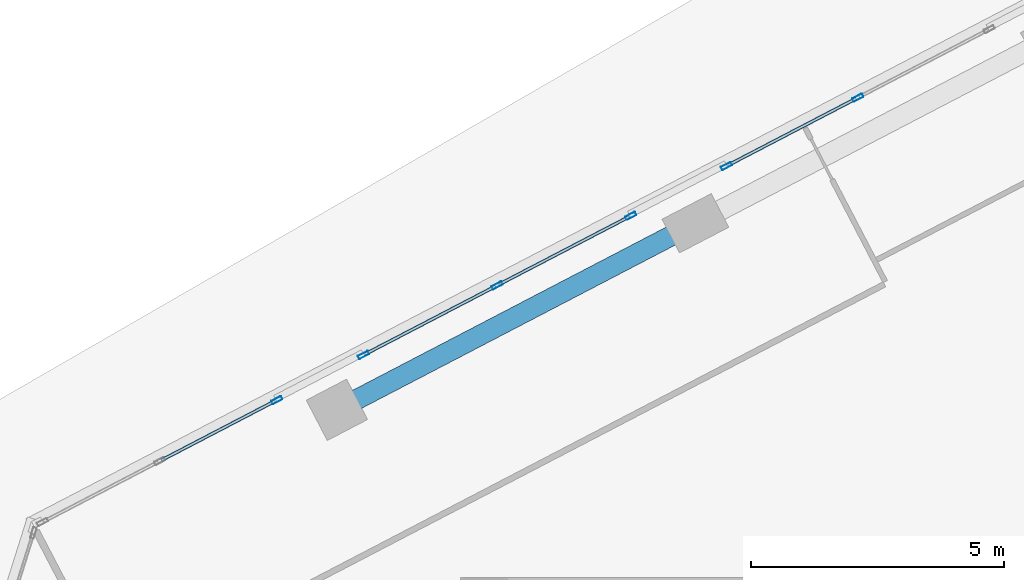
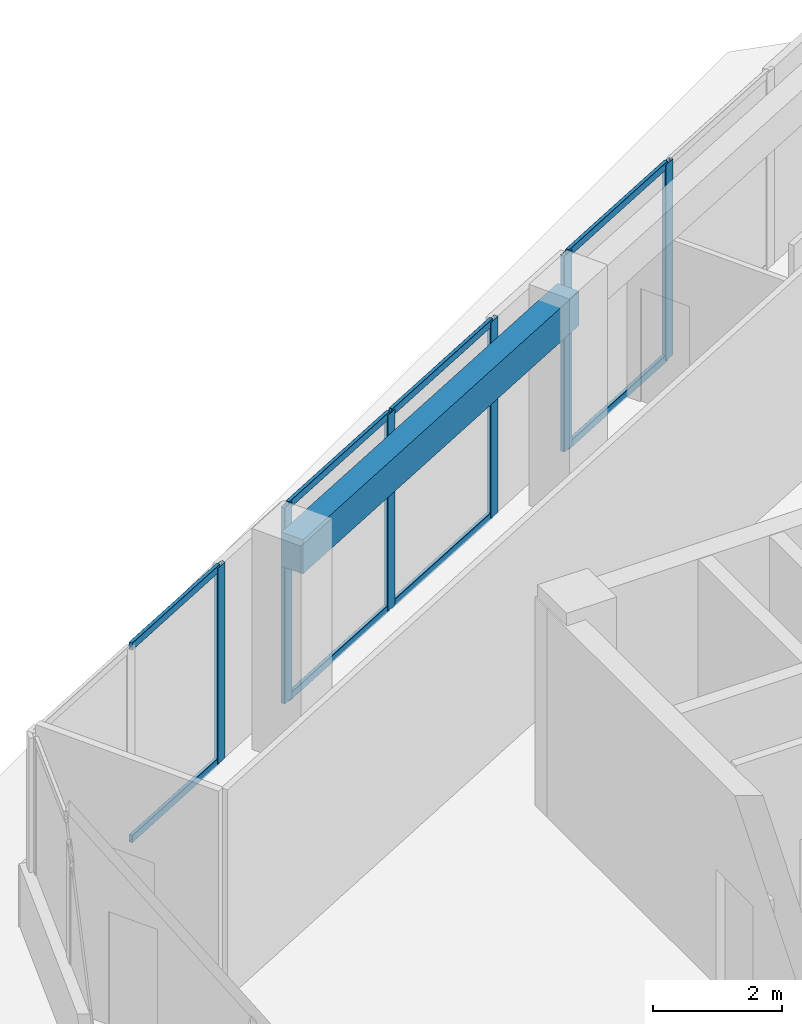
# One storey, part 8 of 16: 14 members, 1 beam, 3 elements without a shape of their own.
"""IFC4 building model written with IfcOpenShell, lengths in metres."""

from ifc_helpers import new_model, si_unit, direction, frame, origin, origin_2d, place, context, subcontext, project, spatial, rectangle, hollow_rectangle, extrude, source, transform, mapped, material, material_profile, profile_set, type_object, element, aggregate, save


model = new_model("IFC4")

# Units and contexts
model_context = context("Model", 3, precision=1e-05, world=origin(), true_north=direction((0.0, 1.0)))
body_context = subcontext(model_context, "Body", "Model", "MODEL_VIEW")
ifc_project = project(units=[si_unit("LENGTHUNIT", "METRE"), si_unit("AREAUNIT", "SQUARE_METRE"), si_unit("VOLUMEUNIT", "CUBIC_METRE"), si_unit("PLANEANGLEUNIT", "RADIAN"), si_unit("MASSUNIT", "GRAM", prefix="KILO")], contexts=[model_context])

# Site, building, storey
site_placement = place(None, origin())
site = spatial("IfcSite", under=ifc_project, at=site_placement, CompositionType="ELEMENT")
building_placement = place(site_placement, origin())
building = spatial("IfcBuilding", under=site, at=building_placement, Name="Torre Montelarca", CompositionType="ELEMENT")
storey_placement = place(building_placement, frame((0.0, 0.0, 328.199951171875)))
storey = spatial("IfcBuildingStorey", under=building, at=storey_placement, Name="L74", CompositionType="ELEMENT", Elevation=328.199951171875)

# Beam
ifc_material_1 = material(Name="Concrete C40/50", Category="concrete")
ifc_material_profile_1 = material_profile(ifc_material_1, rectangle(XDim=0.39990234375, YDim=0.64990234375, at=origin_2d()), Name="RCB400X650", Category="concrete")
ifc_profile_set_1 = profile_set([ifc_material_profile_1], Name="Concrete C40/50")
beam_type = type_object("IfcBeamType", Name="BM-SP-RC650-EXT", PredefinedType="SPANDREL", material=ifc_profile_set_1)
shared_shape_1 = source(origin(), body_context, "Body", "SweptSolid", [
    extrude(rectangle(XDim=0.39990234375, YDim=0.64990234375, at=origin_2d()), origin(), (0.0, 0.0, 1.0), 8.0),
])
beam_placement = place(storey_placement, frame((6.623291015625, 43.252197265625, 3.635009765625), z_axis=(0.887020855989, 0.461729359084, 0.0), x_axis=(-0.461729359084, 0.887020855989, 0.0)))
element("IfcBeam", 1, at=beam_placement, inside=storey, type_object=beam_type, Name="L74 Grid Girder Y 24.0-32.0 at X=4.7", PredefinedType="SPANDREL", context=body_context, shape_type="MappedRepresentation", body=[
    mapped(shared_shape_1, transform((0.0, 0.0, 0.0), scale=1.0)),
])

# Curtain wall, members
ifc_material_2 = material(Name="Insulated low-E laminated glass", Category="glass")
curtain_wall_type = type_object("IfcCurtainWallType", Name="CW-SYS-Z4", PredefinedType="USERDEFINED", material=ifc_material_2)
curtain_wall_1_placement = place(storey_placement, origin())
curtain_wall_1 = element("IfcCurtainWall", 2, at=curtain_wall_1_placement, inside=storey, type_object=curtain_wall_type, Name="L74 Curtain Wall Run CW-T3-L74-E10-B1", ObjectType="UNITISED GLAZING", PredefinedType="USERDEFINED")
ifc_material_3 = material(Name="Anodised aluminium AA 6063-T6", Category="aluminium")
ifc_material_profile_2 = material_profile(ifc_material_3, hollow_rectangle(XDim=0.074951171875, YDim=0.219970703125, WallThickness=0.0048828125, InnerFilletRadius=0.0048828125, OuterFilletRadius=0.010009765625, at=origin_2d()), Name="ALU75X220X5", Category="aluminium")
ifc_profile_set_2 = profile_set([ifc_material_profile_2], Name="Anodised aluminium AA 6063-T6")
member_type_1 = type_object("IfcMemberType", Name="CWM-ALU220", PredefinedType="MULLION", material=ifc_profile_set_2)
shared_shape_2 = source(origin(), body_context, "Body", "SweptSolid", [
    extrude(hollow_rectangle(XDim=0.074951171875, YDim=0.219970703125, WallThickness=0.0048828125, InnerFilletRadius=0.0048828125, OuterFilletRadius=0.010009765625, at=origin_2d()), origin(), (0.0, 0.0, 1.0), 3.719970703125),
])
member_1_placement = place(storey_placement, frame((16.93505859375, 49.431884765625, 0.0), z_axis=(0.0, 0.0, 1.0), x_axis=(0.461753424587, -0.88700832853, 0.0)))
member_1 = element("IfcMember", 3, at=member_1_placement, type_object=member_type_1, Name="CW mullion 2", PredefinedType="MULLION", context=body_context, shape_type="MappedRepresentation", body=[
    mapped(shared_shape_2, transform((0.0, 0.0, 0.0), scale=1.0)),
])
member_2_placement = place(storey_placement, frame((14.333984375, 48.07763671875, 0.0), z_axis=(0.0, 0.0, 1.0), x_axis=(0.461753424587, -0.88700832853, 0.0)))
member_2 = element("IfcMember", 4, at=member_2_placement, type_object=member_type_1, Name="CW mullion 3", PredefinedType="MULLION", context=body_context, shape_type="MappedRepresentation", body=[
    mapped(shared_shape_2, transform((0.0, 0.0, 0.0), scale=1.0)),
])

curtain_wall_2_placement = place(storey_placement, origin())
curtain_wall_2 = element("IfcCurtainWall", 5, at=curtain_wall_2_placement, inside=storey, type_object=curtain_wall_type, Name="L74 Curtain Wall Run CW-T3-L74-E10-B2", ObjectType="UNITISED GLAZING", PredefinedType="USERDEFINED")
member_3_placement = place(storey_placement, frame((12.440185546875, 47.091796875, 0.0), z_axis=(0.0, 0.0, 1.0), x_axis=(0.461756693025, -0.887006627059, 0.0)))
member_3 = element("IfcMember", 6, at=member_3_placement, type_object=member_type_1, Name="CW mullion 1", PredefinedType="MULLION", context=body_context, shape_type="MappedRepresentation", body=[
    mapped(shared_shape_2, transform((0.0, 0.0, 0.0), scale=1.0)),
])
member_4_placement = place(storey_placement, frame((9.794677734375, 45.714599609375, 0.0), z_axis=(0.0, 0.0, 1.0), x_axis=(0.461756693025, -0.887006627059, 0.0)))
member_4 = element("IfcMember", 7, at=member_4_placement, type_object=member_type_1, Name="CW mullion 2", PredefinedType="MULLION", context=body_context, shape_type="MappedRepresentation", body=[
    mapped(shared_shape_2, transform((0.0, 0.0, 0.0), scale=1.0)),
])
member_5_placement = place(storey_placement, frame((7.149169921875, 44.33740234375, 0.0), z_axis=(0.0, 0.0, 1.0), x_axis=(0.461756693025, -0.887006627059, 0.0)))
member_5 = element("IfcMember", 8, at=member_5_placement, type_object=member_type_1, Name="CW mullion 3", PredefinedType="MULLION", context=body_context, shape_type="MappedRepresentation", body=[
    mapped(shared_shape_2, transform((0.0, 0.0, 0.0), scale=1.0)),
])

# Curtain wall, member
curtain_wall_3_placement = place(storey_placement, origin())
curtain_wall_3 = element("IfcCurtainWall", 9, at=curtain_wall_3_placement, inside=storey, type_object=curtain_wall_type, Name="L74 Curtain Wall Run CW-T3-L74-E10-B3", ObjectType="UNITISED GLAZING", PredefinedType="USERDEFINED")
member_6_placement = place(storey_placement, frame((5.4326171875, 43.444091796875, 0.0), z_axis=(0.0, 0.0, 1.0), x_axis=(0.46173914052, -0.887015764297, 0.0)))
member_6 = element("IfcMember", 10, at=member_6_placement, type_object=member_type_1, Name="CW mullion 1", PredefinedType="MULLION", context=body_context, shape_type="MappedRepresentation", body=[
    mapped(shared_shape_2, transform((0.0, 0.0, 0.0), scale=1.0)),
])

# Member
ifc_material_profile_3 = material_profile(ifc_material_3, hollow_rectangle(XDim=0.06494140625, YDim=0.139892578125, WallThickness=0.00390625, InnerFilletRadius=0.00390625, OuterFilletRadius=0.008056640625, at=origin_2d()), Name="ALU65X140X4", Category="aluminium")
ifc_profile_set_3 = profile_set([ifc_material_profile_3], Name="Anodised aluminium AA 6063-T6")
member_type_2 = type_object("IfcMemberType", Name="CWT-ALU140", PredefinedType="USERDEFINED", material=ifc_profile_set_3)
shared_shape_3 = source(origin(), body_context, "Body", "SweptSolid", [
    extrude(hollow_rectangle(XDim=0.06494140625, YDim=0.139892578125, WallThickness=0.00390625, InnerFilletRadius=0.00390625, OuterFilletRadius=0.008056640625, at=origin_2d()), origin(), (0.0, 0.0, 1.0), 2.857666015625),
])
member_7_placement = place(storey_placement, frame((16.90185546875, 49.41455078125, 0.032470703125), z_axis=(-0.886994285339, -0.461780399948, 0.0), x_axis=(0.461780399948, -0.886994285339, 0.0)))
member_7 = element("IfcMember", 11, at=member_7_placement, type_object=member_type_2, Name="CW transom 2.1", ObjectType="TRANSOM", PredefinedType="USERDEFINED", context=body_context, shape_type="MappedRepresentation", body=[
    mapped(shared_shape_3, transform((0.0, 0.0, 0.0), scale=1.0)),
])

member_8_placement = place(storey_placement, frame((16.90185546875, 49.41455078125, 3.6875), z_axis=(-0.886994285339, -0.461780399948, 0.0), x_axis=(0.461780399948, -0.886994285339, 0.0)))
member_8 = element("IfcMember", 12, at=member_8_placement, type_object=member_type_2, Name="CW transom 2.2", ObjectType="TRANSOM", PredefinedType="USERDEFINED", context=body_context, shape_type="MappedRepresentation", body=[
    mapped(shared_shape_3, transform((0.0, 0.0, 0.0), scale=1.0)),
])

aggregate(curtain_wall_1, [member_1, member_2, member_7, member_8])

shared_shape_4 = source(origin(), body_context, "Body", "SweptSolid", [
    extrude(hollow_rectangle(XDim=0.06494140625, YDim=0.139892578125, WallThickness=0.00390625, InnerFilletRadius=0.00390625, OuterFilletRadius=0.008056640625, at=origin_2d()), origin(), (0.0, 0.0, 1.0), 2.90771484375),
])
member_9_placement = place(storey_placement, frame((12.406982421875, 47.074462890625, 0.032470703125), z_axis=(-0.887020129532, -0.461730754666, 0.0), x_axis=(0.461730754666, -0.887020129532, 0.0)))
member_9 = element("IfcMember", 13, at=member_9_placement, type_object=member_type_2, Name="CW transom 1.1", ObjectType="TRANSOM", PredefinedType="USERDEFINED", context=body_context, shape_type="MappedRepresentation", body=[
    mapped(shared_shape_4, transform((0.0, 0.0, 0.0), scale=1.0)),
])

member_10_placement = place(storey_placement, frame((12.406982421875, 47.074462890625, 3.6875), z_axis=(-0.887020129532, -0.461730754666, 0.0), x_axis=(0.461730754666, -0.887020129532, 0.0)))
member_10 = element("IfcMember", 14, at=member_10_placement, type_object=member_type_2, Name="CW transom 1.2", ObjectType="TRANSOM", PredefinedType="USERDEFINED", context=body_context, shape_type="MappedRepresentation", body=[
    mapped(shared_shape_4, transform((0.0, 0.0, 0.0), scale=1.0)),
])

member_11_placement = place(storey_placement, frame((9.761474609375, 45.697265625, 0.032470703125), z_axis=(-0.887020129532, -0.461730754666, 0.0), x_axis=(0.461730754666, -0.887020129532, 0.0)))
member_11 = element("IfcMember", 15, at=member_11_placement, type_object=member_type_2, Name="CW transom 2.1", ObjectType="TRANSOM", PredefinedType="USERDEFINED", context=body_context, shape_type="MappedRepresentation", body=[
    mapped(shared_shape_4, transform((0.0, 0.0, 0.0), scale=1.0)),
])

member_12_placement = place(storey_placement, frame((9.761474609375, 45.697265625, 3.6875), z_axis=(-0.887020129532, -0.461730754666, 0.0), x_axis=(0.461730754666, -0.887020129532, 0.0)))
member_12 = element("IfcMember", 16, at=member_12_placement, type_object=member_type_2, Name="CW transom 2.2", ObjectType="TRANSOM", PredefinedType="USERDEFINED", context=body_context, shape_type="MappedRepresentation", body=[
    mapped(shared_shape_4, transform((0.0, 0.0, 0.0), scale=1.0)),
])

aggregate(curtain_wall_2, [member_3, member_4, member_5, member_9, member_10, member_11, member_12])

shared_shape_5 = source(origin(), body_context, "Body", "SweptSolid", [
    extrude(hollow_rectangle(XDim=0.06494140625, YDim=0.139892578125, WallThickness=0.00390625, InnerFilletRadius=0.00390625, OuterFilletRadius=0.008056640625, at=origin_2d()), origin(), (0.0, 0.0, 1.0), 2.539306640625),
])
member_13_placement = place(storey_placement, frame((5.3994140625, 43.4267578125, 0.032470703125), z_axis=(-0.887001052005, -0.461767402209, 0.0), x_axis=(0.461767402209, -0.887001052005, 0.0)))
member_13 = element("IfcMember", 17, at=member_13_placement, type_object=member_type_2, Name="CW transom 1.1", ObjectType="TRANSOM", PredefinedType="USERDEFINED", context=body_context, shape_type="MappedRepresentation", body=[
    mapped(shared_shape_5, transform((0.0, 0.0, 0.0), scale=1.0)),
])

member_14_placement = place(storey_placement, frame((5.3994140625, 43.4267578125, 3.6875), z_axis=(-0.887001052005, -0.461767402209, 0.0), x_axis=(0.461767402209, -0.887001052005, 0.0)))
member_14 = element("IfcMember", 18, at=member_14_placement, type_object=member_type_2, Name="CW transom 1.2", ObjectType="TRANSOM", PredefinedType="USERDEFINED", context=body_context, shape_type="MappedRepresentation", body=[
    mapped(shared_shape_5, transform((0.0, 0.0, 0.0), scale=1.0)),
])

aggregate(curtain_wall_3, [member_6, member_13, member_14])

save(model, "model.ifc")
